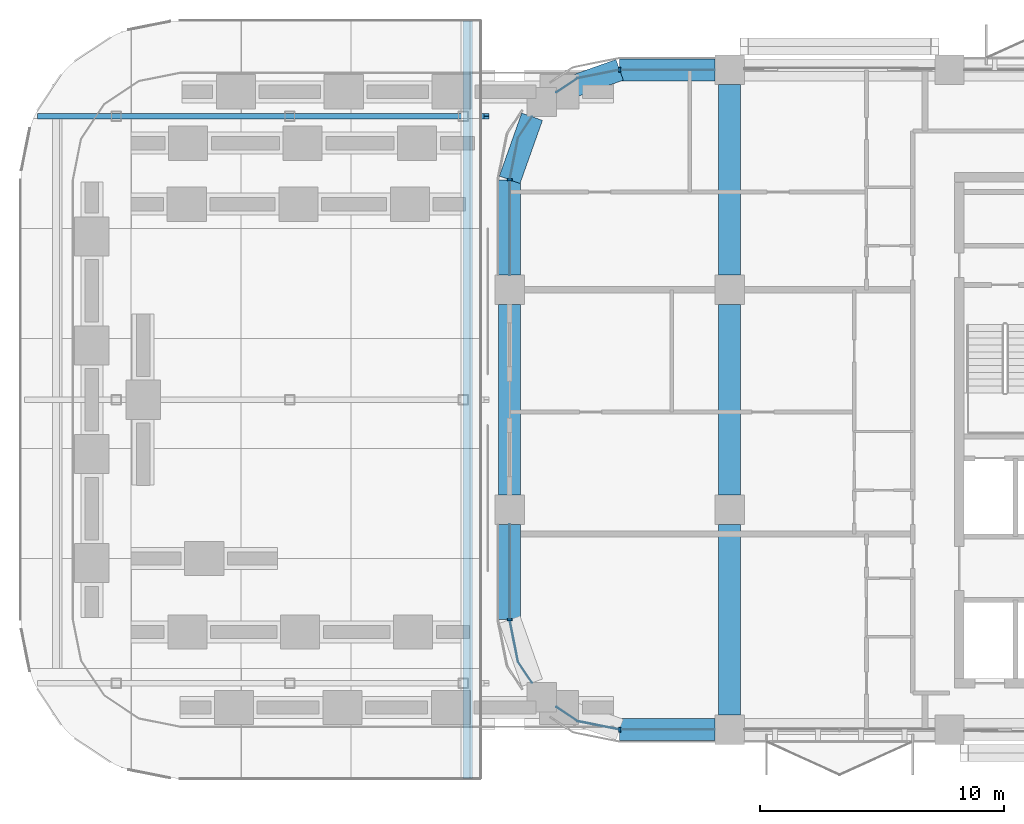
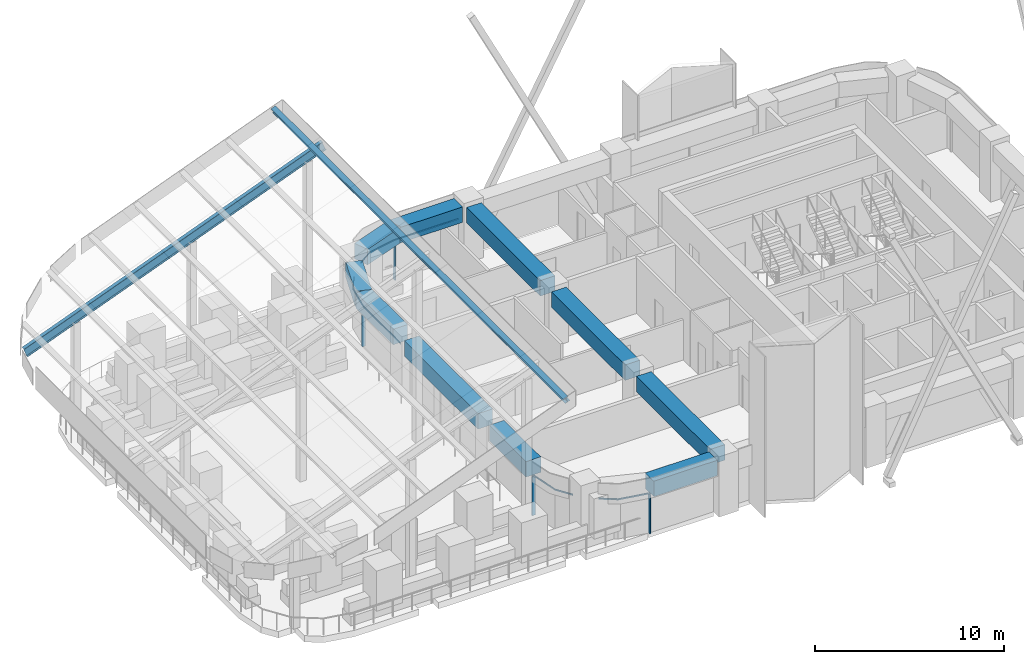
# One storey, part 3 of 13: 10 beams, 10 members, 4 elements without a shape of their own.
"""IFC4 building model written with IfcOpenShell, lengths in metres."""

from ifc_helpers import new_model, si_unit, direction, frame, origin, origin_2d, place, context, subcontext, project, spatial, polyline, rectangle, i_section, outline, extrude, material, material_profile, profile_set, type_object, element, aggregate, save


model = new_model("IFC4")

# Units and contexts
model_context = context("Model", 3, precision=1e-05, world=origin(), true_north=direction((0.0, 1.0)))
body_context = subcontext(model_context, "Body", "Model", "MODEL_VIEW")
ifc_project = project(units=[si_unit("LENGTHUNIT", "METRE"), si_unit("AREAUNIT", "SQUARE_METRE"), si_unit("VOLUMEUNIT", "CUBIC_METRE"), si_unit("PLANEANGLEUNIT", "RADIAN"), si_unit("MASSUNIT", "GRAM", prefix="KILO")], contexts=[model_context])

# Site, building, storey
site_placement = place(None, origin())
site = spatial("IfcSite", under=ifc_project, at=site_placement, CompositionType="ELEMENT")
building_placement = place(site_placement, origin())
building = spatial("IfcBuilding", under=site, at=building_placement, Name="Tessera Arch", CompositionType="ELEMENT")
storey_placement = place(building_placement, frame((0.0, 0.0, 234.5)))
storey = spatial("IfcBuildingStorey", under=building, at=storey_placement, Name="L56", CompositionType="ELEMENT", Elevation=234.5)

# Curtain wall, member
ifc_material_1 = material(Name="CW2 curtain wall")
curtain_wall_type = type_object("IfcCurtainWallType", Name="CW2 curtain wall", PredefinedType="NOTDEFINED", material=ifc_material_1)
curtain_wall_1_placement = place(storey_placement, origin())
curtain_wall_1 = element("IfcCurtainWall", 1, at=curtain_wall_1_placement, inside=storey, type_object=curtain_wall_type, Name="CW2 curtain wall N54.18/3 L56", PredefinedType="NOTDEFINED")
ifc_material_2 = material(Name="Anodised aluminium pale metal", Category="aluminium")
ifc_material_profile_1 = material_profile(ifc_material_2, rectangle(XDim=0.199951171875, YDim=0.080078125, at=origin_2d()), Name="AL 80x200")
ifc_profile_set_1 = profile_set([ifc_material_profile_1], Name="Anodised aluminium pale metal")
member_type_1 = type_object("IfcMemberType", Name="CW2 mullion", PredefinedType="MULLION", material=ifc_profile_set_1)
member_1_placement = place(storey_placement, frame((22.5, 54.0, 0.0), z_axis=(0.0, 0.0, 1.0), x_axis=(0.0, -1.0, 0.0)))
member_1 = element("IfcMember", 2, at=member_1_placement, type_object=member_type_1, Name="CW2 mullion N54.18/3 1", PredefinedType="MULLION", context=body_context, shape_type="SweptSolid", body=[
    extrude(rectangle(XDim=0.199951171875, YDim=0.080078125, at=origin_2d()), origin(), (0.0, 0.0, 1.0), 2.5),
])

curtain_wall_2_placement = place(storey_placement, origin())
curtain_wall_2 = element("IfcCurtainWall", 3, at=curtain_wall_2_placement, inside=storey, type_object=curtain_wall_type, Name="CW2 curtain wall W18.27/0 L56", PredefinedType="NOTDEFINED")
member_2_placement = place(storey_placement, frame((18.0, 49.5, 0.0), z_axis=(0.0, 0.0, 1.0), x_axis=(1.0, 0.0, 0.0)))
member_2 = element("IfcMember", 4, at=member_2_placement, type_object=member_type_1, Name="CW2 mullion W18.27/0 1", PredefinedType="MULLION", context=body_context, shape_type="SweptSolid", body=[
    extrude(rectangle(XDim=0.199951171875, YDim=0.080078125, at=origin_2d()), origin(), (0.0, 0.0, 1.0), 2.5),
])

curtain_wall_3_placement = place(storey_placement, origin())
curtain_wall_3 = element("IfcCurtainWall", 5, at=curtain_wall_3_placement, inside=storey, type_object=curtain_wall_type, Name="CW2 curtain wall W18.27/2 L56", PredefinedType="NOTDEFINED")
member_3_placement = place(storey_placement, frame((18.0, 31.5, 0.0), z_axis=(0.0, 0.0, 1.0), x_axis=(1.0, 0.0, 0.0)))
member_3 = element("IfcMember", 6, at=member_3_placement, type_object=member_type_1, Name="CW2 mullion W18.27/2 1", PredefinedType="MULLION", context=body_context, shape_type="SweptSolid", body=[
    extrude(rectangle(XDim=0.199951171875, YDim=0.080078125, at=origin_2d()), origin(), (0.0, 0.0, 1.0), 2.5),
])

curtain_wall_4_placement = place(storey_placement, origin())
curtain_wall_4 = element("IfcCurtainWall", 7, at=curtain_wall_4_placement, inside=storey, type_object=curtain_wall_type, Name="CW2 curtain wall S27.18/0 L56", PredefinedType="NOTDEFINED")
member_4_placement = place(storey_placement, frame((22.5, 27.0, 0.0), z_axis=(0.0, 0.0, 1.0), x_axis=(0.0, 1.0, 0.0)))
member_4 = element("IfcMember", 8, at=member_4_placement, type_object=member_type_1, Name="CW2 mullion S27.18/0 1", PredefinedType="MULLION", context=body_context, shape_type="SweptSolid", body=[
    extrude(rectangle(XDim=0.199951171875, YDim=0.080078125, at=origin_2d()), origin(), (0.0, 0.0, 1.0), 2.5),
])

# Member
ifc_material_3 = material(Name="Anodised aluminium pale metal", Category="aluminium")
ifc_material_profile_2 = material_profile(ifc_material_3, rectangle(XDim=0.199951171875, YDim=0.10009765625, at=origin_2d()), Name="AL 200x100")
ifc_profile_set_2 = profile_set([ifc_material_profile_2], Name="Anodised aluminium pale metal")
member_type_2 = type_object("IfcMemberType", Name="CW2 transom", PredefinedType="USERDEFINED", material=ifc_profile_set_2)
member_5_placement = place(storey_placement, frame((0.0, 0.0, 2.5)))
member_5 = element("IfcMember", 9, at=member_5_placement, type_object=member_type_2, Name="CW2 transom N54.18/3 1", ObjectType="TRANSOM", PredefinedType="USERDEFINED", context=body_context, shape_type="SweptSolid", body=[
    extrude(outline(polyline([(22.5009765625, 53.989990234375), (26.39990234375, 53.989990234375), (26.39990234375, 54.010009765625), (22.4990234375, 54.010009765625), (20.77392578125, 53.6669921875), (19.912353515625, 53.09130859375), (19.923583984375, 53.07470703125), (20.78173828125, 53.648193359375), (22.5009765625, 53.989990234375)])), origin(), (0.0, 0.0, 1.0), 0.10009765625),
])

aggregate(curtain_wall_1, [member_1, member_5])

member_6_placement = place(storey_placement, frame((0.0, 0.0, 2.5)))
member_6 = element("IfcMember", 10, at=member_6_placement, type_object=member_type_2, Name="CW2 transom W18.27/0 1", ObjectType="TRANSOM", PredefinedType="USERDEFINED", context=body_context, shape_type="SweptSolid", body=[
    extrude(outline(polyline([(18.351806640625, 51.21826171875), (18.92529296875, 52.076416015625), (18.90869140625, 52.087646484375), (18.3330078125, 51.22607421875), (17.989990234375, 49.5009765625), (17.989990234375, 45.60009765625), (18.010009765625, 45.60009765625), (18.010009765625, 49.4990234375), (18.351806640625, 51.21826171875)])), origin(), (0.0, 0.0, 1.0), 0.10009765625),
])

aggregate(curtain_wall_2, [member_2, member_6])

member_7_placement = place(storey_placement, frame((0.0, 0.0, 2.5)))
member_7 = element("IfcMember", 11, at=member_7_placement, type_object=member_type_2, Name="CW2 transom W18.27/2 1", ObjectType="TRANSOM", PredefinedType="USERDEFINED", context=body_context, shape_type="SweptSolid", body=[
    extrude(outline(polyline([(18.010009765625, 31.5009765625), (18.010009765625, 35.39990234375), (17.989990234375, 35.39990234375), (17.989990234375, 31.4990234375), (18.3330078125, 29.77392578125), (18.90869140625, 28.912353515625), (18.92529296875, 28.923583984375), (18.351806640625, 29.78173828125), (18.010009765625, 31.5009765625)])), origin(), (0.0, 0.0, 1.0), 0.10009765625),
])

aggregate(curtain_wall_3, [member_3, member_7])

member_8_placement = place(storey_placement, frame((0.0, 0.0, 2.5)))
member_8 = element("IfcMember", 12, at=member_8_placement, type_object=member_type_2, Name="CW2 transom S27.18/0 1", ObjectType="TRANSOM", PredefinedType="USERDEFINED", context=body_context, shape_type="SweptSolid", body=[
    extrude(outline(polyline([(20.78173828125, 27.351806640625), (19.923583984375, 27.92529296875), (19.912353515625, 27.90869140625), (20.77392578125, 27.3330078125), (22.4990234375, 26.989990234375), (26.39990234375, 26.989990234375), (26.39990234375, 27.010009765625), (22.5009765625, 27.010009765625), (20.78173828125, 27.351806640625)])), origin(), (0.0, 0.0, 1.0), 0.10009765625),
])

aggregate(curtain_wall_4, [member_4, member_8])

# Members
ifc_material_4 = material(Name="Steel A992 Gr50", Category="steel")
ifc_material_profile_3 = material_profile(ifc_material_4, i_section(OverallWidth=0.3046875, OverallDepth=0.307861328125, WebThickness=0.010009765625, FlangeThickness=0.015380859375, at=origin_2d()), Name="W12x65")
ifc_profile_set_3 = profile_set([ifc_material_profile_3], Name="Steel A992 Gr50")
member_type_3 = type_object("IfcMemberType", Name="Canopy purlin W12x65", PredefinedType="PURLIN", material=ifc_profile_set_3)
member_9_placement = place(storey_placement, frame((16.28857421875, 25.0, 11.9697265625), z_axis=(0.0, 1.0, 0.0), x_axis=(-0.933580426497, 0.0, -0.358367949545)))
element("IfcMember", 13, at=member_9_placement, inside=storey, type_object=member_type_3, Name="Canopy purlin T2-7", PredefinedType="PURLIN", context=body_context, shape_type="SweptSolid", body=[
    extrude(i_section(OverallWidth=0.3046875, OverallDepth=0.307861328125, WebThickness=0.010009765625, FlangeThickness=0.015380859375, at=origin_2d()), origin(), (0.0, 0.0, 1.0), 31.0),
])
ifc_material_5 = material(Name="Steel A992 Gr50", Category="steel")
ifc_material_profile_4 = material_profile(ifc_material_5, i_section(OverallWidth=0.230224609375, OverallDepth=0.617431640625, WebThickness=0.01318359375, FlangeThickness=0.022216796875, at=origin_2d()), Name="W24x94")
ifc_profile_set_4 = profile_set([ifc_material_profile_4], Name="Steel A992 Gr50")
member_type_4 = type_object("IfcMemberType", Name="Canopy rib W24x94", PredefinedType="RAFTER", material=ifc_profile_set_4)
member_10_placement = place(storey_placement, frame((-1.203369140625, 52.10009765625, 4.759521484375), z_axis=(0.933577129053, 0.0, 0.358376539562), x_axis=(0.0, 1.0, 0.0)))
element("IfcMember", 14, at=member_10_placement, inside=storey, type_object=member_type_4, Name="Canopy rib T2-3", PredefinedType="RAFTER", context=body_context, shape_type="SweptSolid", body=[
    extrude(i_section(OverallWidth=0.230224609375, OverallDepth=0.617431640625, WebThickness=0.01318359375, FlangeThickness=0.022216796875, at=origin_2d()), origin(), (0.0, 0.0, 1.0), 19.551513671875),
])

# Beams
ifc_material_6 = material(Name="Concrete C60/75", Category="concrete")
ifc_material_profile_5 = material_profile(ifc_material_6, rectangle(XDim=0.89990234375, YDim=1.0, at=origin_2d()), Name="RC spandrel beam 900 x 1000 Concrete C60/75")
ifc_profile_set_5 = profile_set([ifc_material_profile_5], Name="Concrete C60/75")
beam_type = type_object("IfcBeamType", Name="RC spandrel beam 900 x 1000 Concrete C60/75", PredefinedType="BEAM", material=ifc_profile_set_5)
beam_1_placement = place(storey_placement, frame((26.39990234375, 54.0, 3.10009765625), z_axis=(-1.0, 0.0, 0.0), x_axis=(0.0, -1.0, 0.0)))
element("IfcBeam", 15, at=beam_1_placement, inside=storey, type_object=beam_type, Name="Spandrel beam L56 N54.18/3.1", PredefinedType="BEAM", context=body_context, shape_type="SweptSolid", body=[
    extrude(rectangle(XDim=0.89990234375, YDim=1.0, at=origin_2d()), origin(), (0.0, 0.0, 1.0), 3.89990234375),
])
for number, where, z_axis, x_axis, name in (
    (16, (22.5, 54.0, 3.10009765625), (-0.942337127159, -0.334665114373, 0.0), (0.334665114373, -0.942337127159, 0.0), "Spandrel beam L56 N54.18/3.2"),
    (17, (18.9169921875, 52.08203125, 3.10009765625), (-0.334665114373, -0.942337127159, 0.0), (0.942337127159, -0.334665114373, 0.0), "Spandrel beam L56 W18.27/0.1"),
):
    element("IfcBeam", number, at=place(storey_placement, frame(where, z_axis=z_axis, x_axis=x_axis)), inside=storey, type_object=beam_type, Name=name, PredefinedType="BEAM", context=body_context, shape_type="SweptSolid", body=[
        extrude(rectangle(XDim=0.89990234375, YDim=1.0, at=origin_2d()), origin(), (0.0, 0.0, 1.0), 2.739990234375),
    ])
beam_2_placement = place(storey_placement, frame((18.0, 49.5, 3.10009765625), z_axis=(0.0, -1.0, 0.0), x_axis=(1.0, 0.0, 0.0)))
element("IfcBeam", 18, at=beam_2_placement, inside=storey, type_object=beam_type, Name="Spandrel beam L56 W18.27/0.2", PredefinedType="BEAM", context=body_context, shape_type="SweptSolid", body=[
    extrude(rectangle(XDim=0.89990234375, YDim=1.0, at=origin_2d()), origin(), (0.0, 0.0, 1.0), 3.89990234375),
])
beam_3_placement = place(storey_placement, frame((18.0, 44.39990234375, 3.10009765625), z_axis=(0.0, -1.0, 0.0), x_axis=(1.0, 0.0, 0.0)))
element("IfcBeam", 19, at=beam_3_placement, inside=storey, type_object=beam_type, Name="Spandrel beam L56 W18.27/1", PredefinedType="BEAM", context=body_context, shape_type="SweptSolid", body=[
    extrude(rectangle(XDim=0.89990234375, YDim=1.0, at=origin_2d()), origin(), (0.0, 0.0, 1.0), 7.7998046875),
])
for number, where, z_axis, x_axis, name in (
    (20, (18.0, 35.39990234375, 3.10009765625), (0.0, -1.0, 0.0), (1.0, 0.0, 0.0), "Spandrel beam L56 W18.27/2.1"),
    (21, (22.5, 27.0, 3.10009765625), (1.0, 0.0, 0.0), (0.0, 1.0, 0.0), "Spandrel beam L56 S27.18/0.2"),
):
    element("IfcBeam", number, at=place(storey_placement, frame(where, z_axis=z_axis, x_axis=x_axis)), inside=storey, type_object=beam_type, Name=name, PredefinedType="BEAM", context=body_context, shape_type="SweptSolid", body=[
        extrude(rectangle(XDim=0.89990234375, YDim=1.0, at=origin_2d()), origin(), (0.0, 0.0, 1.0), 3.89990234375),
    ])
for number, where, z_axis, x_axis, name in (
    (22, (27.0, 27.60009765625, 3.10009765625), (0.0, 1.0, 0.0), (-1.0, 0.0, 0.0), "Interface beam L56 I0C4D-C4E"),
    (23, (27.0, 36.60009765625, 3.10009765625), (0.0, 1.0, 0.0), (-1.0, 0.0, 0.0), "Interface beam L56 I0C4E-C4F"),
    (24, (27.0, 45.60009765625, 3.10009765625), (0.0, 1.0, 0.0), (-1.0, 0.0, 0.0), "Interface beam L56 I0C4F-C4G"),
):
    element("IfcBeam", number, at=place(storey_placement, frame(where, z_axis=z_axis, x_axis=x_axis)), inside=storey, type_object=beam_type, Name=name, PredefinedType="BEAM", context=body_context, shape_type="SweptSolid", body=[
        extrude(rectangle(XDim=0.89990234375, YDim=1.0, at=origin_2d()), origin(), (0.0, 0.0, 1.0), 7.7998046875),
    ])

save(model, "model.ifc")
